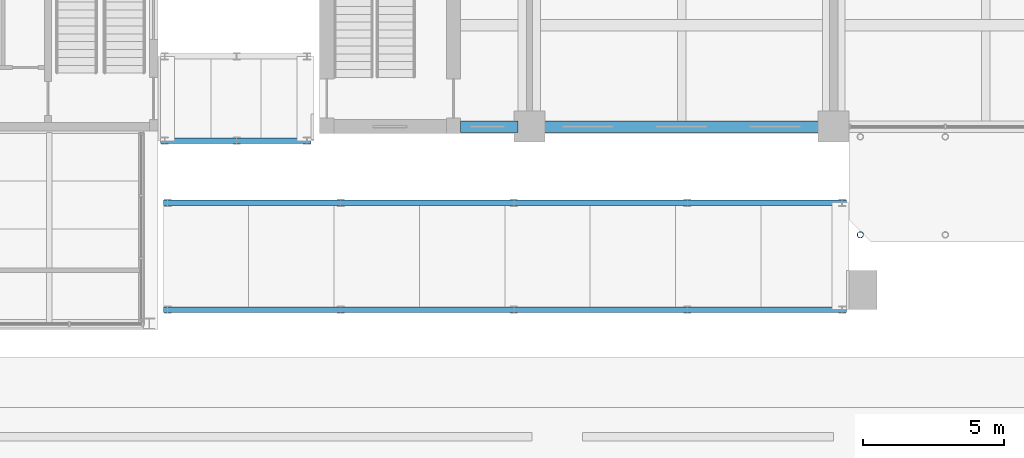
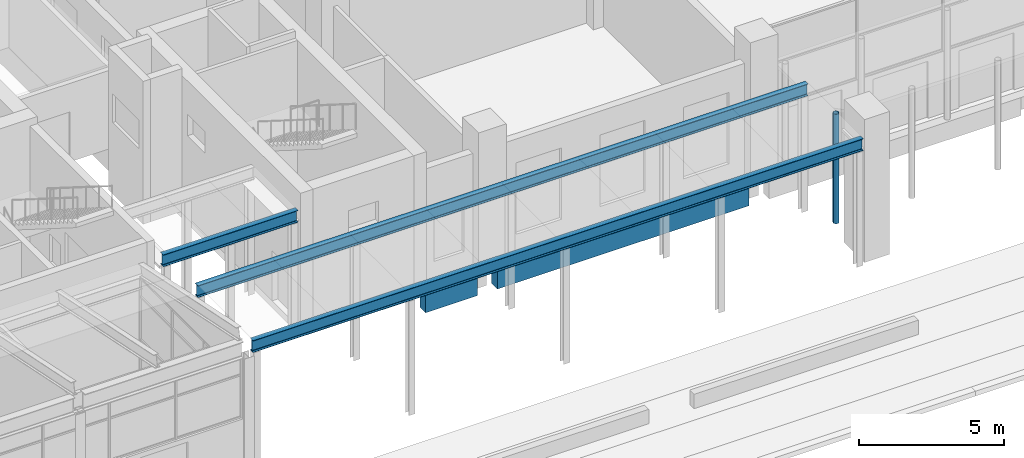
# One storey, part 18 of 71: 5 beams, 1 member.
"""IFC4 building model written with IfcOpenShell, lengths in metres."""

from ifc_helpers import new_model, si_unit, direction, frame, origin, origin_2d, place, context, subcontext, project, spatial, rectangle, hollow_circle, i_section, extrude, material, material_profile, profile_set, type_object, element, save


model = new_model("IFC4")

# Units and contexts
model_context = context("Model", 3, precision=1e-05, world=origin(), true_north=direction((0.0, 1.0)))
body_context = subcontext(model_context, "Body", "Model", "MODEL_VIEW")
ifc_project = project(units=[si_unit("LENGTHUNIT", "METRE"), si_unit("AREAUNIT", "SQUARE_METRE"), si_unit("VOLUMEUNIT", "CUBIC_METRE"), si_unit("PLANEANGLEUNIT", "RADIAN"), si_unit("MASSUNIT", "GRAM", prefix="KILO")], contexts=[model_context])

# Site, building, storey
site_placement = place(None, origin())
site = spatial("IfcSite", under=ifc_project, at=site_placement, CompositionType="ELEMENT")
building_placement = place(site_placement, origin())
building = spatial("IfcBuilding", under=site, at=building_placement, Name="Basin Gate Institute", CompositionType="ELEMENT")
storey_placement = place(building_placement, origin())
storey = spatial("IfcBuildingStorey", under=building, at=storey_placement, Name="L00", CompositionType="ELEMENT", Elevation=0.0)

# Beams
ifc_material_1 = material(Name="Concrete 40 MPa", Category="concrete")
ifc_material_profile_1 = material_profile(ifc_material_1, rectangle(XDim=0.39990234375, YDim=0.800048828125, at=origin_2d()), Name="Beam B2 400 x 800")
ifc_profile_set_1 = profile_set([ifc_material_profile_1], Name="Concrete 40 MPa")
beam_type_1 = type_object("IfcBeamType", Name="Beam B2 R180", PredefinedType="BEAM", material=ifc_profile_set_1)
beam_1_placement = place(storey_placement, frame((68.800048828125, 35.10009765625, -0.699951171875), z_axis=(1.0, 0.0, 0.0), x_axis=(0.0, 1.0, 0.0)))
element("IfcBeam", 1, at=beam_1_placement, inside=storey, type_object=beam_type_1, material=ifc_profile_set_1, Name="BEAM/L00/W/EW/01", PredefinedType="BEAM", context=body_context, shape_type="SweptSolid", body=[
    extrude(rectangle(XDim=0.39990234375, YDim=0.800048828125, at=origin_2d()), origin(), (0.0, 0.0, 1.0), 10.0),
])
beam_2_placement = place(storey_placement, frame((65.949951171875, 35.10009765625, -0.699951171875), z_axis=(1.0, 0.0, 0.0), x_axis=(0.0, 1.0, 0.0)))
element("IfcBeam", 2, at=beam_2_placement, inside=storey, type_object=beam_type_1, material=ifc_profile_set_1, Name="BEAM/L00/W/CORR/01", PredefinedType="BEAM", context=body_context, shape_type="SweptSolid", body=[
    extrude(rectangle(XDim=0.39990234375, YDim=0.800048828125, at=origin_2d()), origin(), (0.0, 0.0, 1.0), 2.050048828125),
])
ifc_material_2 = material(Name="Structural steel SN490", Category="steel")
ifc_material_profile_2 = material_profile(ifc_material_2, i_section(OverallWidth=0.199951171875, OverallDepth=0.5, WebThickness=0.010009765625, FlangeThickness=0.01611328125, FilletRadius=0.02001953125, at=origin_2d()), Name="H500x200")
ifc_profile_set_2 = profile_set([ifc_material_profile_2], Name="Structural steel SN490")
beam_type_2 = type_object("IfcBeamType", Name="Canopy beam SB1 R180", PredefinedType="BEAM", material=ifc_profile_set_2)
beam_3_placement = place(storey_placement, frame((55.300048828125, 34.60009765625, 5.050048828125), z_axis=(1.0, 0.0, 0.0), x_axis=(0.0, 1.0, 0.0)))
element("IfcBeam", 3, at=beam_3_placement, inside=storey, type_object=beam_type_2, material=ifc_profile_set_2, Name="West court passage beam 1", PredefinedType="BEAM", context=body_context, shape_type="SweptSolid", body=[
    extrude(i_section(OverallWidth=0.199951171875, OverallDepth=0.5, WebThickness=0.010009765625, FlangeThickness=0.01611328125, FilletRadius=0.02001953125, at=origin_2d()), origin(), (0.0, 0.0, 1.0), 5.349853515625),
])
for number, where, z_axis, x_axis, name in (
    (4, (55.39990234375, 28.60009765625, 5.050048828125), (1.0, 0.0, 0.0), (0.0, 1.0, 0.0), "Forecourt canopy beam 1"),
    (5, (55.39990234375, 32.39990234375, 5.050048828125), (1.0, 0.0, 0.0), (0.0, 1.0, 0.0), "Forecourt canopy beam 2"),
):
    element("IfcBeam", number, at=place(storey_placement, frame(where, z_axis=z_axis, x_axis=x_axis)), inside=storey, type_object=beam_type_2, material=ifc_profile_set_2, Name=name, PredefinedType="BEAM", context=body_context, shape_type="SweptSolid", body=[
        extrude(i_section(OverallWidth=0.199951171875, OverallDepth=0.5, WebThickness=0.010009765625, FlangeThickness=0.01611328125, FilletRadius=0.02001953125, at=origin_2d()), origin(), (0.0, 0.0, 1.0), 24.25),
    ])

# Member
ifc_material_3 = material(Name="Structural steel SN490", Category="steel")
ifc_material_profile_3 = material_profile(ifc_material_3, hollow_circle(Radius=0.109619140625, WallThickness=0.008056640625, at=origin_2d()), Name="CHS219x8")
ifc_profile_set_3 = profile_set([ifc_material_profile_3], Name="Structural steel SN490")
member_type = type_object("IfcMemberType", Name="Canopy post TD3", PredefinedType="POST", material=ifc_profile_set_3)
member_placement = place(storey_placement, frame((80.14990234375, 31.259521484375, -0.050048828125), z_axis=(0.0, 0.0, 1.0), x_axis=(1.0, 0.0, 0.0)))
element("IfcMember", 6, at=member_placement, inside=storey, type_object=member_type, material=ifc_profile_set_3, Name="Canopy post south 8", PredefinedType="POST", context=body_context, shape_type="SweptSolid", body=[
    extrude(hollow_circle(Radius=0.109619140625, WallThickness=0.008056640625, at=origin_2d()), origin(), (0.0, 0.0, 1.0), 4.60009765625),
])

save(model, "model.ifc")
